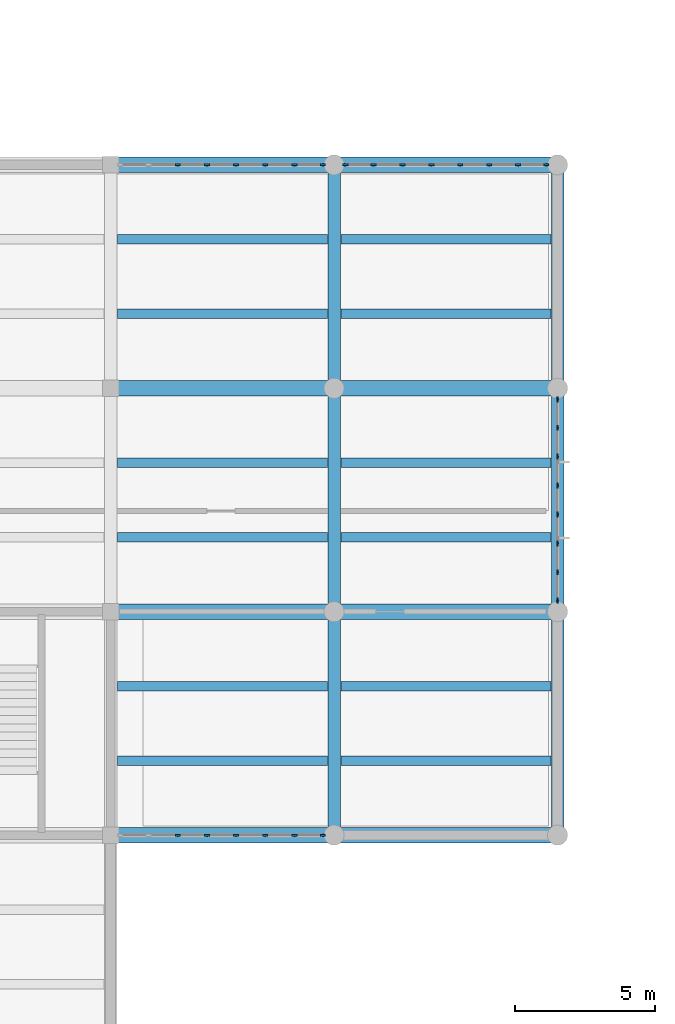
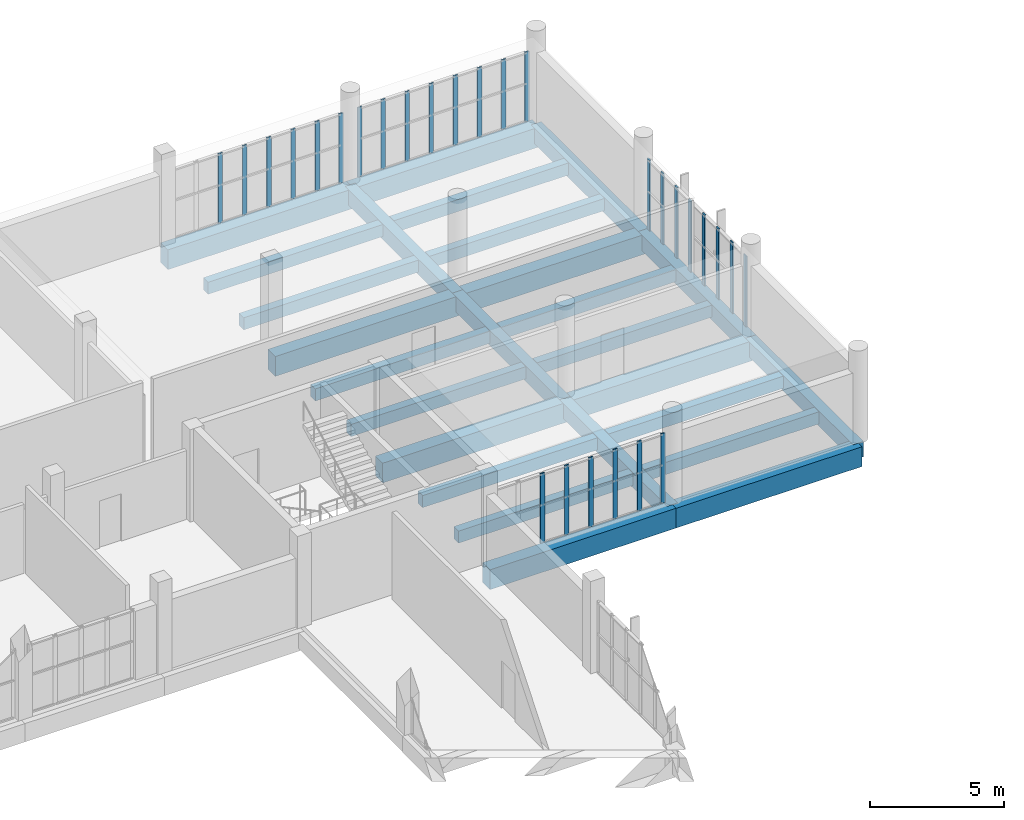
# One storey, part 26 of 85: 28 members, 26 beams, 4 elements without a shape of their own.
"""IFC4 building model written with IfcOpenShell, lengths in metres."""

from ifc_helpers import new_model, si_unit, direction, frame, origin, origin_2d, place, context, subcontext, project, spatial, rectangle, extrude, material, layer, layer_set, material_profile, profile_set, type_object, element, aggregate, save


model = new_model("IFC4")

# Units and contexts
model_context = context("Model", 3, precision=1e-05, world=origin(), true_north=direction((0.0, 1.0)))
body_context = subcontext(model_context, "Body", "Model", "MODEL_VIEW")
ifc_project = project(units=[si_unit("LENGTHUNIT", "METRE"), si_unit("AREAUNIT", "SQUARE_METRE"), si_unit("VOLUMEUNIT", "CUBIC_METRE"), si_unit("PLANEANGLEUNIT", "RADIAN"), si_unit("MASSUNIT", "GRAM", prefix="KILO")], contexts=[model_context])

# Site, building, storey
site_placement = place(None, origin())
site = spatial("IfcSite", under=ifc_project, at=site_placement, CompositionType="ELEMENT")
building_placement = place(site_placement, origin())
building = spatial("IfcBuilding", under=site, at=building_placement, Name="Solvane Community Centre", CompositionType="ELEMENT")
storey_placement = place(building_placement, frame((0.0, 0.0, 5.39990234375)))
storey = spatial("IfcBuildingStorey", under=building, at=storey_placement, Name="L01", CompositionType="ELEMENT", Elevation=5.39990234375)

# Curtain wall, members
ifc_material_1 = material(Name="Anodised bronze aluminium AW-6063 T6", Category="aluminium")
ifc_layer_1 = layer(ifc_material_1, 0.18994140625)
ifc_layer_set_1 = layer_set([ifc_layer_1], Name="Anodised bronze aluminium AW-6063 T6")
curtain_wall_type_1 = type_object("IfcCurtainWallType", Name="Boulevard Bronze Vision Curtain Wall [73x32dm]", PredefinedType="NOTDEFINED", material=ifc_layer_set_1)
curtain_wall_1_placement = place(storey_placement, origin())
curtain_wall_1 = element("IfcCurtainWall", 1, at=curtain_wall_1_placement, inside=storey, type_object=curtain_wall_type_1, Name="Curtain Wall CW-L01-683_1100-092", PredefinedType="NOTDEFINED")
ifc_material_profile_1 = material_profile(ifc_material_1, rectangle(XDim=0.06005859375, YDim=0.18994140625, at=origin_2d()), Name="CW-M 60x190")
ifc_profile_set_1 = profile_set([ifc_material_profile_1], Name="Anodised bronze aluminium AW-6063 T6")
member_type = type_object("IfcMemberType", Name="Boulevard Mullion 60x190", PredefinedType="MULLION", material=ifc_profile_set_1)
member_1_placement = place(storey_placement, frame((70.403564453125, 110.0, 0.0), z_axis=(0.0, 0.0, 1.0), x_axis=(0.0, 1.0, 0.0)))
member_1 = element("IfcMember", 2, at=member_1_placement, type_object=member_type, Name="CW02-73x32 mullion 3", PredefinedType="MULLION", context=body_context, shape_type="SweptSolid", body=[
    extrude(rectangle(XDim=0.06005859375, YDim=0.18994140625, at=origin_2d()), origin(), (0.0, 0.0, 1.0), 3.1650390625),
])
member_2_placement = place(storey_placement, frame((71.44775390625, 110.0, 0.0), z_axis=(0.0, 0.0, 1.0), x_axis=(0.0, 1.0, 0.0)))
member_2 = element("IfcMember", 3, at=member_2_placement, type_object=member_type, Name="CW02-73x32 mullion 4", PredefinedType="MULLION", context=body_context, shape_type="SweptSolid", body=[
    extrude(rectangle(XDim=0.06005859375, YDim=0.18994140625, at=origin_2d()), origin(), (0.0, 0.0, 1.0), 3.1650390625),
])
member_3_placement = place(storey_placement, frame((72.4921875, 110.0, 0.0), z_axis=(0.0, 0.0, 1.0), x_axis=(0.0, 1.0, 0.0)))
member_3 = element("IfcMember", 4, at=member_3_placement, type_object=member_type, Name="CW02-73x32 mullion 5", PredefinedType="MULLION", context=body_context, shape_type="SweptSolid", body=[
    extrude(rectangle(XDim=0.06005859375, YDim=0.18994140625, at=origin_2d()), origin(), (0.0, 0.0, 1.0), 3.1650390625),
])
member_4_placement = place(storey_placement, frame((73.536376953125, 110.0, 0.0), z_axis=(0.0, 0.0, 1.0), x_axis=(0.0, 1.0, 0.0)))
member_4 = element("IfcMember", 5, at=member_4_placement, type_object=member_type, Name="CW02-73x32 mullion 6", PredefinedType="MULLION", context=body_context, shape_type="SweptSolid", body=[
    extrude(rectangle(XDim=0.06005859375, YDim=0.18994140625, at=origin_2d()), origin(), (0.0, 0.0, 1.0), 3.1650390625),
])
member_5_placement = place(storey_placement, frame((74.580810546875, 110.0, 0.0), z_axis=(0.0, 0.0, 1.0), x_axis=(0.0, 1.0, 0.0)))
member_5 = element("IfcMember", 6, at=member_5_placement, type_object=member_type, Name="CW02-73x32 mullion 7", PredefinedType="MULLION", context=body_context, shape_type="SweptSolid", body=[
    extrude(rectangle(XDim=0.06005859375, YDim=0.18994140625, at=origin_2d()), origin(), (0.0, 0.0, 1.0), 3.1650390625),
])
member_6_placement = place(storey_placement, frame((75.594970703125, 110.0, 0.0), z_axis=(0.0, 0.0, 1.0), x_axis=(0.0, 1.0, 0.0)))
member_6 = element("IfcMember", 7, at=member_6_placement, type_object=member_type, Name="CW02-73x32 mullion 8", PredefinedType="MULLION", context=body_context, shape_type="SweptSolid", body=[
    extrude(rectangle(XDim=0.06005859375, YDim=0.18994140625, at=origin_2d()), origin(), (0.0, 0.0, 1.0), 3.1650390625),
])
aggregate(curtain_wall_1, [member_1, member_2, member_3, member_4, member_5, member_6])

ifc_layer_2 = layer(ifc_material_1, 0.18994140625)
ifc_layer_set_2 = layer_set([ifc_layer_2], Name="Anodised bronze aluminium AW-6063 T6")
curtain_wall_type_2 = type_object("IfcCurtainWallType", Name="Boulevard Bronze Vision Curtain Wall [72x32dm]", PredefinedType="NOTDEFINED", material=ifc_layer_set_2)
curtain_wall_2_placement = place(storey_placement, origin())
curtain_wall_2 = element("IfcCurtainWall", 8, at=curtain_wall_2_placement, inside=storey, type_object=curtain_wall_type_2, Name="Curtain Wall CW-L01-764_1100-093", PredefinedType="NOTDEFINED")
member_7_placement = place(storey_placement, frame((76.405029296875, 110.0, 0.0), z_axis=(0.0, 0.0, 1.0), x_axis=(0.0, 1.0, 0.0)))
member_7 = element("IfcMember", 9, at=member_7_placement, type_object=member_type, Name="CW02-72x32 mullion 1", PredefinedType="MULLION", context=body_context, shape_type="SweptSolid", body=[
    extrude(rectangle(XDim=0.06005859375, YDim=0.18994140625, at=origin_2d()), origin(), (0.0, 0.0, 1.0), 3.1650390625),
])
member_8_placement = place(storey_placement, frame((77.41064453125, 110.0, 0.0), z_axis=(0.0, 0.0, 1.0), x_axis=(0.0, 1.0, 0.0)))
member_8 = element("IfcMember", 10, at=member_8_placement, type_object=member_type, Name="CW02-72x32 mullion 2", PredefinedType="MULLION", context=body_context, shape_type="SweptSolid", body=[
    extrude(rectangle(XDim=0.06005859375, YDim=0.18994140625, at=origin_2d()), origin(), (0.0, 0.0, 1.0), 3.1650390625),
])
member_9_placement = place(storey_placement, frame((78.446533203125, 110.0, 0.0), z_axis=(0.0, 0.0, 1.0), x_axis=(0.0, 1.0, 0.0)))
member_9 = element("IfcMember", 11, at=member_9_placement, type_object=member_type, Name="CW02-72x32 mullion 3", PredefinedType="MULLION", context=body_context, shape_type="SweptSolid", body=[
    extrude(rectangle(XDim=0.06005859375, YDim=0.18994140625, at=origin_2d()), origin(), (0.0, 0.0, 1.0), 3.1650390625),
])
member_10_placement = place(storey_placement, frame((79.482177734375, 110.0, 0.0), z_axis=(0.0, 0.0, 1.0), x_axis=(0.0, 1.0, 0.0)))
member_10 = element("IfcMember", 12, at=member_10_placement, type_object=member_type, Name="CW02-72x32 mullion 4", PredefinedType="MULLION", context=body_context, shape_type="SweptSolid", body=[
    extrude(rectangle(XDim=0.06005859375, YDim=0.18994140625, at=origin_2d()), origin(), (0.0, 0.0, 1.0), 3.1650390625),
])
member_11_placement = place(storey_placement, frame((80.517822265625, 110.0, 0.0), z_axis=(0.0, 0.0, 1.0), x_axis=(0.0, 1.0, 0.0)))
member_11 = element("IfcMember", 13, at=member_11_placement, type_object=member_type, Name="CW02-72x32 mullion 5", PredefinedType="MULLION", context=body_context, shape_type="SweptSolid", body=[
    extrude(rectangle(XDim=0.06005859375, YDim=0.18994140625, at=origin_2d()), origin(), (0.0, 0.0, 1.0), 3.1650390625),
])
member_12_placement = place(storey_placement, frame((81.553466796875, 110.0, 0.0), z_axis=(0.0, 0.0, 1.0), x_axis=(0.0, 1.0, 0.0)))
member_12 = element("IfcMember", 14, at=member_12_placement, type_object=member_type, Name="CW02-72x32 mullion 6", PredefinedType="MULLION", context=body_context, shape_type="SweptSolid", body=[
    extrude(rectangle(XDim=0.06005859375, YDim=0.18994140625, at=origin_2d()), origin(), (0.0, 0.0, 1.0), 3.1650390625),
])
member_13_placement = place(storey_placement, frame((82.58935546875, 110.0, 0.0), z_axis=(0.0, 0.0, 1.0), x_axis=(0.0, 1.0, 0.0)))
member_13 = element("IfcMember", 15, at=member_13_placement, type_object=member_type, Name="CW02-72x32 mullion 7", PredefinedType="MULLION", context=body_context, shape_type="SweptSolid", body=[
    extrude(rectangle(XDim=0.06005859375, YDim=0.18994140625, at=origin_2d()), origin(), (0.0, 0.0, 1.0), 3.1650390625),
])
member_14_placement = place(storey_placement, frame((83.594970703125, 110.0, 0.0), z_axis=(0.0, 0.0, 1.0), x_axis=(0.0, 1.0, 0.0)))
member_14 = element("IfcMember", 16, at=member_14_placement, type_object=member_type, Name="CW02-72x32 mullion 8", PredefinedType="MULLION", context=body_context, shape_type="SweptSolid", body=[
    extrude(rectangle(XDim=0.06005859375, YDim=0.18994140625, at=origin_2d()), origin(), (0.0, 0.0, 1.0), 3.1650390625),
])
aggregate(curtain_wall_2, [member_7, member_8, member_9, member_10, member_11, member_12, member_13, member_14])

curtain_wall_3_placement = place(storey_placement, origin())
curtain_wall_3 = element("IfcCurtainWall", 17, at=curtain_wall_3_placement, inside=storey, type_object=curtain_wall_type_2, Name="Curtain Wall CW-L01-840_1016-094", PredefinedType="NOTDEFINED")
member_15_placement = place(storey_placement, frame((84.0, 101.594970703125, 0.0), z_axis=(0.0, 0.0, 1.0), x_axis=(1.0, 0.0, 0.0)))
member_15 = element("IfcMember", 18, at=member_15_placement, type_object=member_type, Name="CW02-72x32 mullion 1", PredefinedType="MULLION", context=body_context, shape_type="SweptSolid", body=[
    extrude(rectangle(XDim=0.06005859375, YDim=0.18994140625, at=origin_2d()), origin(), (0.0, 0.0, 1.0), 3.22509765625),
])
member_16_placement = place(storey_placement, frame((84.0, 100.58935546875, 0.0), z_axis=(0.0, 0.0, 1.0), x_axis=(1.0, 0.0, 0.0)))
member_16 = element("IfcMember", 19, at=member_16_placement, type_object=member_type, Name="CW02-72x32 mullion 2", PredefinedType="MULLION", context=body_context, shape_type="SweptSolid", body=[
    extrude(rectangle(XDim=0.06005859375, YDim=0.18994140625, at=origin_2d()), origin(), (0.0, 0.0, 1.0), 3.22509765625),
])
member_17_placement = place(storey_placement, frame((84.0, 99.553466796875, 0.0), z_axis=(0.0, 0.0, 1.0), x_axis=(1.0, 0.0, 0.0)))
member_17 = element("IfcMember", 20, at=member_17_placement, type_object=member_type, Name="CW02-72x32 mullion 3", PredefinedType="MULLION", context=body_context, shape_type="SweptSolid", body=[
    extrude(rectangle(XDim=0.06005859375, YDim=0.18994140625, at=origin_2d()), origin(), (0.0, 0.0, 1.0), 3.22509765625),
])
member_18_placement = place(storey_placement, frame((84.0, 98.517822265625, 0.0), z_axis=(0.0, 0.0, 1.0), x_axis=(1.0, 0.0, 0.0)))
member_18 = element("IfcMember", 21, at=member_18_placement, type_object=member_type, Name="CW02-72x32 mullion 4", PredefinedType="MULLION", context=body_context, shape_type="SweptSolid", body=[
    extrude(rectangle(XDim=0.06005859375, YDim=0.18994140625, at=origin_2d()), origin(), (0.0, 0.0, 1.0), 3.22509765625),
])
member_19_placement = place(storey_placement, frame((84.0, 97.482177734375, 0.0), z_axis=(0.0, 0.0, 1.0), x_axis=(1.0, 0.0, 0.0)))
member_19 = element("IfcMember", 22, at=member_19_placement, type_object=member_type, Name="CW02-72x32 mullion 5", PredefinedType="MULLION", context=body_context, shape_type="SweptSolid", body=[
    extrude(rectangle(XDim=0.06005859375, YDim=0.18994140625, at=origin_2d()), origin(), (0.0, 0.0, 1.0), 3.22509765625),
])
member_20_placement = place(storey_placement, frame((84.0, 96.446533203125, 0.0), z_axis=(0.0, 0.0, 1.0), x_axis=(1.0, 0.0, 0.0)))
member_20 = element("IfcMember", 23, at=member_20_placement, type_object=member_type, Name="CW02-72x32 mullion 6", PredefinedType="MULLION", context=body_context, shape_type="SweptSolid", body=[
    extrude(rectangle(XDim=0.06005859375, YDim=0.18994140625, at=origin_2d()), origin(), (0.0, 0.0, 1.0), 3.22509765625),
])
member_21_placement = place(storey_placement, frame((84.0, 95.41064453125, 0.0), z_axis=(0.0, 0.0, 1.0), x_axis=(1.0, 0.0, 0.0)))
member_21 = element("IfcMember", 24, at=member_21_placement, type_object=member_type, Name="CW02-72x32 mullion 7", PredefinedType="MULLION", context=body_context, shape_type="SweptSolid", body=[
    extrude(rectangle(XDim=0.06005859375, YDim=0.18994140625, at=origin_2d()), origin(), (0.0, 0.0, 1.0), 3.22509765625),
])
member_22_placement = place(storey_placement, frame((84.0, 94.405029296875, 0.0), z_axis=(0.0, 0.0, 1.0), x_axis=(1.0, 0.0, 0.0)))
member_22 = element("IfcMember", 25, at=member_22_placement, type_object=member_type, Name="CW02-72x32 mullion 8", PredefinedType="MULLION", context=body_context, shape_type="SweptSolid", body=[
    extrude(rectangle(XDim=0.06005859375, YDim=0.18994140625, at=origin_2d()), origin(), (0.0, 0.0, 1.0), 3.22509765625),
])
aggregate(curtain_wall_3, [member_15, member_16, member_17, member_18, member_19, member_20, member_21, member_22])

curtain_wall_4_placement = place(storey_placement, origin())
curtain_wall_4 = element("IfcCurtainWall", 26, at=curtain_wall_4_placement, inside=storey, type_object=curtain_wall_type_1, Name="Curtain Wall CW-L01-756_860-095", PredefinedType="NOTDEFINED")
member_23_placement = place(storey_placement, frame((75.594970703125, 86.0, 0.0), z_axis=(0.0, 0.0, 1.0), x_axis=(0.0, -1.0, 0.0)))
member_23 = element("IfcMember", 27, at=member_23_placement, type_object=member_type, Name="CW02-73x32 mullion 1", PredefinedType="MULLION", context=body_context, shape_type="SweptSolid", body=[
    extrude(rectangle(XDim=0.06005859375, YDim=0.18994140625, at=origin_2d()), origin(), (0.0, 0.0, 1.0), 3.1650390625),
])
member_24_placement = place(storey_placement, frame((74.580810546875, 86.0, 0.0), z_axis=(0.0, 0.0, 1.0), x_axis=(0.0, -1.0, 0.0)))
member_24 = element("IfcMember", 28, at=member_24_placement, type_object=member_type, Name="CW02-73x32 mullion 2", PredefinedType="MULLION", context=body_context, shape_type="SweptSolid", body=[
    extrude(rectangle(XDim=0.06005859375, YDim=0.18994140625, at=origin_2d()), origin(), (0.0, 0.0, 1.0), 3.1650390625),
])
member_25_placement = place(storey_placement, frame((73.536376953125, 86.0, 0.0), z_axis=(0.0, 0.0, 1.0), x_axis=(0.0, -1.0, 0.0)))
member_25 = element("IfcMember", 29, at=member_25_placement, type_object=member_type, Name="CW02-73x32 mullion 3", PredefinedType="MULLION", context=body_context, shape_type="SweptSolid", body=[
    extrude(rectangle(XDim=0.06005859375, YDim=0.18994140625, at=origin_2d()), origin(), (0.0, 0.0, 1.0), 3.1650390625),
])
member_26_placement = place(storey_placement, frame((72.4921875, 86.0, 0.0), z_axis=(0.0, 0.0, 1.0), x_axis=(0.0, -1.0, 0.0)))
member_26 = element("IfcMember", 30, at=member_26_placement, type_object=member_type, Name="CW02-73x32 mullion 4", PredefinedType="MULLION", context=body_context, shape_type="SweptSolid", body=[
    extrude(rectangle(XDim=0.06005859375, YDim=0.18994140625, at=origin_2d()), origin(), (0.0, 0.0, 1.0), 3.1650390625),
])
member_27_placement = place(storey_placement, frame((71.44775390625, 86.0, 0.0), z_axis=(0.0, 0.0, 1.0), x_axis=(0.0, -1.0, 0.0)))
member_27 = element("IfcMember", 31, at=member_27_placement, type_object=member_type, Name="CW02-73x32 mullion 5", PredefinedType="MULLION", context=body_context, shape_type="SweptSolid", body=[
    extrude(rectangle(XDim=0.06005859375, YDim=0.18994140625, at=origin_2d()), origin(), (0.0, 0.0, 1.0), 3.1650390625),
])
member_28_placement = place(storey_placement, frame((70.403564453125, 86.0, 0.0), z_axis=(0.0, 0.0, 1.0), x_axis=(0.0, -1.0, 0.0)))
member_28 = element("IfcMember", 32, at=member_28_placement, type_object=member_type, Name="CW02-73x32 mullion 6", PredefinedType="MULLION", context=body_context, shape_type="SweptSolid", body=[
    extrude(rectangle(XDim=0.06005859375, YDim=0.18994140625, at=origin_2d()), origin(), (0.0, 0.0, 1.0), 3.1650390625),
])
aggregate(curtain_wall_4, [member_23, member_24, member_25, member_26, member_27, member_28])

# Beams
ifc_material_2 = material(Name="Concrete C35/45", Category="concrete")
ifc_material_profile_2 = material_profile(ifc_material_2, rectangle(XDim=0.449951171875, YDim=0.699951171875, at=origin_2d()), Name="RC 450x700")
ifc_profile_set_2 = profile_set([ifc_material_profile_2], Name="Concrete C35/45")
beam_type_1 = type_object("IfcBeamType", Name="RC Floor Beam 450x700", PredefinedType="BEAM", material=ifc_profile_set_2)
for number, where, z_axis, x_axis, name in (
    (33, (76.0, 86.0, -0.58984375), (0.0, 1.0, 0.0), (-1.0, 0.0, 0.0), "Beam BM-L01-760_860-760_940"),
    (34, (76.0, 94.0, -0.58984375), (0.0, 1.0, 0.0), (-1.0, 0.0, 0.0), "Beam BM-L01-760_940-760_1020"),
    (35, (76.0, 102.0, -0.58984375), (0.0, 1.0, 0.0), (-1.0, 0.0, 0.0), "Beam BM-L01-760_1020-760_1100"),
    (36, (84.0, 86.0, -0.58984375), (0.0, 1.0, 0.0), (-1.0, 0.0, 0.0), "Beam BM-L01-840_860-840_940"),
    (37, (84.0, 94.0, -0.58984375), (0.0, 1.0, 0.0), (-1.0, 0.0, 0.0), "Beam BM-L01-840_940-840_1020"),
    (38, (84.0, 102.0, -0.58984375), (0.0, 1.0, 0.0), (-1.0, 0.0, 0.0), "Beam BM-L01-840_1020-840_1100"),
):
    element("IfcBeam", number, at=place(storey_placement, frame(where, z_axis=z_axis, x_axis=x_axis)), inside=storey, type_object=beam_type_1, Name=name, PredefinedType="BEAM", context=body_context, shape_type="SweptSolid", body=[
        extrude(rectangle(XDim=0.449951171875, YDim=0.699951171875, at=origin_2d()), origin(), (0.0, 0.0, 1.0), 8.0),
    ])
ifc_material_profile_3 = material_profile(ifc_material_2, rectangle(XDim=0.550048828125, YDim=0.89990234375, at=origin_2d()), Name="RC 550x900")
ifc_profile_set_3 = profile_set([ifc_material_profile_3], Name="Concrete C35/45")
beam_type_2 = type_object("IfcBeamType", Name="RC Heavy Girder 550x900", PredefinedType="USERDEFINED", material=ifc_profile_set_3)
for number, where, z_axis, x_axis, name in (
    (39, (68.0, 86.0, -0.68994140625), (1.0, 0.0, 0.0), (0.0, 1.0, 0.0), "Beam BM-L01-680_860-760_860"),
    (40, (76.0, 86.0, -0.68994140625), (1.0, 0.0, 0.0), (0.0, 1.0, 0.0), "Beam BM-L01-760_860-840_860"),
    (41, (68.0, 94.0, -0.68994140625), (1.0, 0.0, 0.0), (0.0, 1.0, 0.0), "Beam BM-L01-680_940-760_940"),
    (42, (76.0, 94.0, -0.68994140625), (1.0, 0.0, 0.0), (0.0, 1.0, 0.0), "Beam BM-L01-760_940-840_940"),
    (43, (68.0, 102.0, -0.68994140625), (1.0, 0.0, 0.0), (0.0, 1.0, 0.0), "Beam BM-L01-680_1020-760_1020"),
    (44, (76.0, 102.0, -0.68994140625), (1.0, 0.0, 0.0), (0.0, 1.0, 0.0), "Beam BM-L01-760_1020-840_1020"),
    (45, (68.0, 110.0, -0.68994140625), (1.0, 0.0, 0.0), (0.0, 1.0, 0.0), "Beam BM-L01-680_1100-760_1100"),
    (46, (76.0, 110.0, -0.68994140625), (1.0, 0.0, 0.0), (0.0, 1.0, 0.0), "Beam BM-L01-760_1100-840_1100"),
):
    element("IfcBeam", number, at=place(storey_placement, frame(where, z_axis=z_axis, x_axis=x_axis)), inside=storey, type_object=beam_type_2, Name=name, ObjectType="GIRDER", PredefinedType="USERDEFINED", context=body_context, shape_type="SweptSolid", body=[
        extrude(rectangle(XDim=0.550048828125, YDim=0.89990234375, at=origin_2d()), origin(), (0.0, 0.0, 1.0), 8.0),
    ])
ifc_material_profile_4 = material_profile(ifc_material_2, rectangle(XDim=0.35009765625, YDim=0.550048828125, at=origin_2d()), Name="RC 350x550")
ifc_profile_set_4 = profile_set([ifc_material_profile_4], Name="Concrete C35/45")
beam_type_3 = type_object("IfcBeamType", Name="RC Secondary Joist 350x550", PredefinedType="JOIST", material=ifc_profile_set_4)
for number, where, z_axis, x_axis, name in (
    (47, (68.239990234375, 88.666748046875, -0.514892578125), (1.0, 0.0, 0.0), (0.0, 1.0, 0.0), "Beam BM-L01-682_887-758_887"),
    (48, (68.239990234375, 91.333251953125, -0.514892578125), (1.0, 0.0, 0.0), (0.0, 1.0, 0.0), "Beam BM-L01-682_913-758_913"),
    (49, (68.239990234375, 96.666748046875, -0.514892578125), (1.0, 0.0, 0.0), (0.0, 1.0, 0.0), "Beam BM-L01-682_967-758_967"),
    (50, (68.239990234375, 99.333251953125, -0.514892578125), (1.0, 0.0, 0.0), (0.0, 1.0, 0.0), "Beam BM-L01-682_993-758_993"),
    (51, (68.239990234375, 104.666748046875, -0.514892578125), (1.0, 0.0, 0.0), (0.0, 1.0, 0.0), "Beam BM-L01-682_1047-758_1047"),
    (52, (68.239990234375, 107.333251953125, -0.514892578125), (1.0, 0.0, 0.0), (0.0, 1.0, 0.0), "Beam BM-L01-682_1073-758_1073"),
    (53, (76.239990234375, 88.666748046875, -0.514892578125), (1.0, 0.0, 0.0), (0.0, 1.0, 0.0), "Beam BM-L01-762_887-838_887"),
    (54, (76.239990234375, 91.333251953125, -0.514892578125), (1.0, 0.0, 0.0), (0.0, 1.0, 0.0), "Beam BM-L01-762_913-838_913"),
    (55, (76.239990234375, 96.666748046875, -0.514892578125), (1.0, 0.0, 0.0), (0.0, 1.0, 0.0), "Beam BM-L01-762_967-838_967"),
    (56, (76.239990234375, 99.333251953125, -0.514892578125), (1.0, 0.0, 0.0), (0.0, 1.0, 0.0), "Beam BM-L01-762_993-838_993"),
    (57, (76.239990234375, 104.666748046875, -0.514892578125), (1.0, 0.0, 0.0), (0.0, 1.0, 0.0), "Beam BM-L01-762_1047-838_1047"),
    (58, (76.239990234375, 107.333251953125, -0.514892578125), (1.0, 0.0, 0.0), (0.0, 1.0, 0.0), "Beam BM-L01-762_1073-838_1073"),
):
    element("IfcBeam", number, at=place(storey_placement, frame(where, z_axis=z_axis, x_axis=x_axis)), inside=storey, type_object=beam_type_3, Name=name, PredefinedType="JOIST", context=body_context, shape_type="SweptSolid", body=[
        extrude(rectangle(XDim=0.35009765625, YDim=0.550048828125, at=origin_2d()), origin(), (0.0, 0.0, 1.0), 7.52001953125),
    ])

save(model, "model.ifc")
